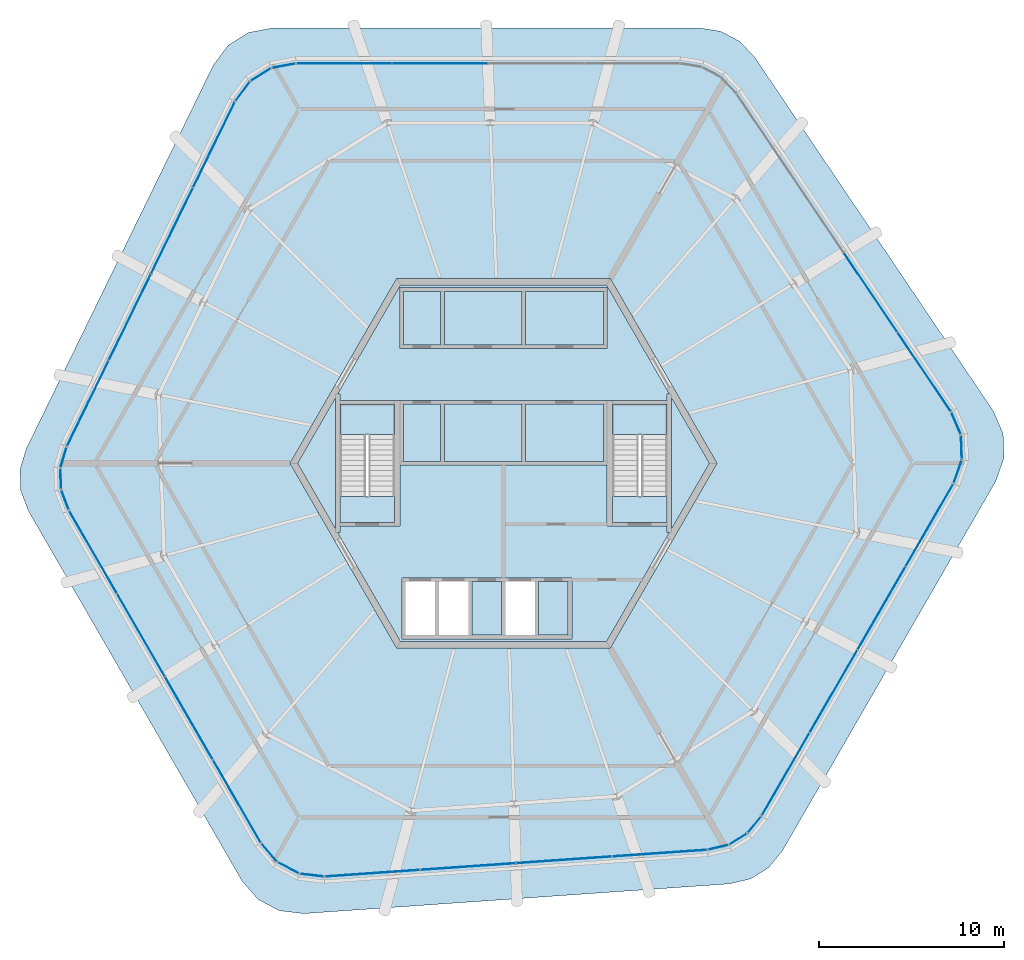
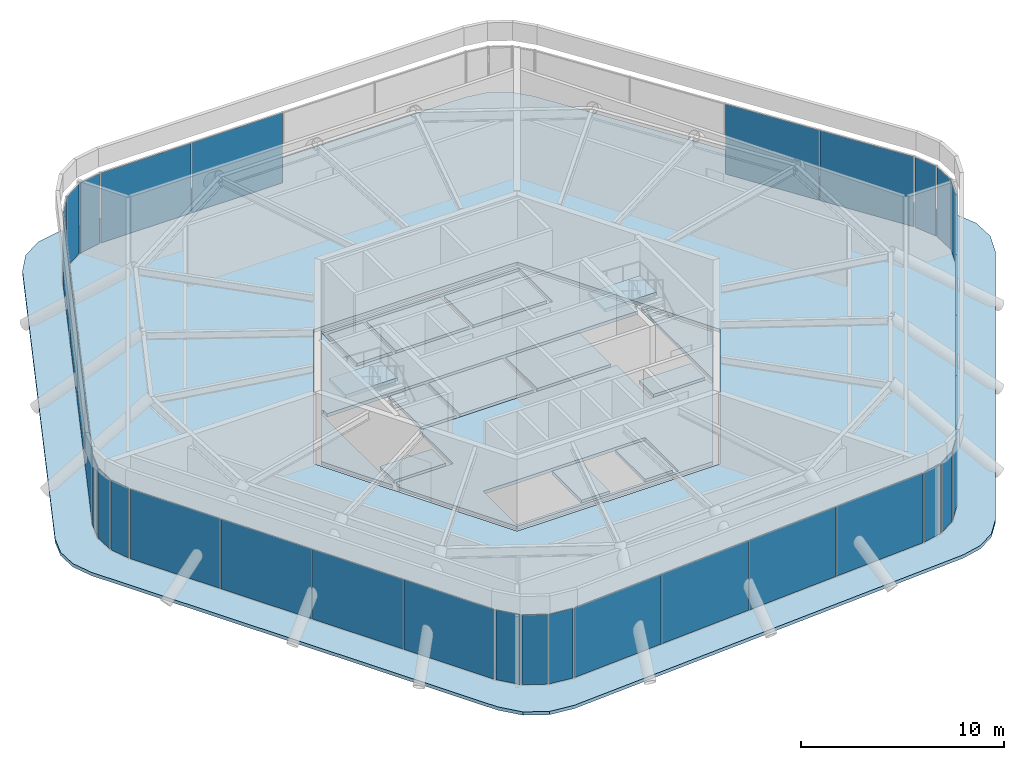
# One storey, part 9 of 13: 35 plates, 17 slabs, 23 elements without a shape of their own.
"""IFC4 building model written with IfcOpenShell, lengths in metres."""

from ifc_helpers import new_model, si_unit, direction, frame, origin, origin_2d, place, context, subcontext, project, spatial, polyline, rectangle, outline, extrude, material, layer, layer_set, type_object, element, aggregate, save


model = new_model("IFC4")

# Units and contexts
model_context = context("Model", 3, precision=1e-05, world=origin(), true_north=direction((0.0, 1.0)))
body_context = subcontext(model_context, "Body", "Model", "MODEL_VIEW")
ifc_project = project(units=[si_unit("LENGTHUNIT", "METRE"), si_unit("AREAUNIT", "SQUARE_METRE"), si_unit("VOLUMEUNIT", "CUBIC_METRE"), si_unit("PLANEANGLEUNIT", "RADIAN"), si_unit("MASSUNIT", "GRAM", prefix="KILO")], contexts=[model_context])

# Site, building, storey
site_placement = place(None, origin())
site = spatial("IfcSite", under=ifc_project, at=site_placement, CompositionType="ELEMENT")
building_placement = place(site_placement, origin())
building = spatial("IfcBuilding", under=site, at=building_placement, Name="Tarnside Tower", CompositionType="ELEMENT")
storey_placement = place(building_placement, frame((0.0, 0.0, 388.199951171875)))
storey = spatial("IfcBuildingStorey", under=building, at=storey_placement, Name="L92", CompositionType="ELEMENT", Elevation=388.199951171875)

# Slabs
ifc_material_1 = material(Name="Concrete C35/45", Category="concrete")
ifc_layer_1 = layer(ifc_material_1, 0.199951171875)
ifc_layer_set_1 = layer_set([ifc_layer_1], Name="Composite floor slab 200")
slab_type_1 = type_object("IfcSlabType", Name="Composite floor slab 200", PredefinedType="FLOOR", material=ifc_layer_set_1)
slab_1_placement = place(storey_placement, frame((0.0, 0.0, -0.199951171875)))
element("IfcSlab", 1, at=slab_1_placement, inside=storey, type_object=slab_type_1, Name="Floor slab L92", PredefinedType="FLOOR", context=body_context, shape_type="SweptSolid", body=[
    extrude(outline(polyline([(11.769287109375, 23.3603515625), (12.785400390625, 22.8203125), (13.58740234375, 21.969970703125), (26.50048828125, 2.82568359375), (27.02880859375, 1.6005859375), (27.07470703125, 0.288818359375), (26.633056640625, -0.97021484375), (15.0869140625, -20.968505859375), (14.345947265625, -21.872802734375), (13.370361328125, -22.482421875), (12.232666015625, -22.752197265625), (-10.80322265625, -24.36279296875), (-12.12841796875, -24.2080078125), (-13.287353515625, -23.591796875), (-14.15673828125, -22.579833984375), (-25.702880859375, -2.581298828125), (-26.115478515625, -1.487548828125), (-26.155517578125, -0.337890625), (-25.8203125, 0.7822265625), (-15.697265625, 21.537353515625), (-14.900634765625, 22.607421875), (-13.787353515625, 23.302978515625), (-12.476318359375, 23.550048828125), (10.61572265625, 23.550048828125), (11.769287109375, 23.3603515625)]), holes=[polyline([(-11.547119140625, 0.0), (-5.7734375, -10.0), (5.7734375, -10.0), (11.547119140625, 0.0), (5.7734375, 10.0), (-5.7734375, 10.0), (-11.547119140625, 0.0)])]), origin(), (0.0, 0.0, 1.0), 0.199951171875),
])
ifc_material_2 = material(Name="Concrete C40/50", Category="concrete")
ifc_layer_2 = layer(ifc_material_2, 0.199951171875)
ifc_layer_set_2 = layer_set([ifc_layer_2], Name="Core crown slab C40/50")
slab_type_2 = type_object("IfcSlabType", Name="Core crown slab C40/50", PredefinedType="FLOOR", material=ifc_layer_set_2)
slab_2_placement = place(storey_placement, frame((0.0, 0.0, -0.199951171875)))
element("IfcSlab", 2, at=slab_2_placement, inside=storey, type_object=slab_type_2, Name="L92 core floor slab 1", PredefinedType="FLOOR", context=body_context, shape_type="SweptSolid", body=[
    extrude(outline(polyline([(5.5712890625, 9.64990234375), (8.97509765625, 3.7548828125), (8.85009765625, 3.7548828125), (8.85009765625, 3.39990234375), (5.89990234375, 3.39990234375), (5.60009765625, 3.39990234375), (-5.60009765625, 3.39990234375), (-5.89990234375, 3.39990234375), (-8.85009765625, 3.39990234375), (-8.85009765625, 3.7548828125), (-8.97509765625, 3.7548828125), (-5.5712890625, 9.64990234375), (5.5712890625, 9.64990234375)]), holes=[polyline([(-5.60009765625, 6.199951171875), (5.60009765625, 6.199951171875), (5.60009765625, 6.39990234375), (5.60009765625, 9.300048828125), (5.60009765625, 9.5), (-5.60009765625, 9.5), (-5.60009765625, 9.300048828125), (-5.60009765625, 6.39990234375), (-5.60009765625, 6.199951171875)])]), origin(), (0.0, 0.0, 1.0), 0.199951171875),
])
slab_3_placement = place(storey_placement, frame((0.0, 0.0, -0.199951171875)))
element("IfcSlab", 3, at=slab_3_placement, inside=storey, type_object=slab_type_2, Name="L92 core floor slab 2", PredefinedType="FLOOR", context=body_context, shape_type="SweptSolid", body=[
    extrude(outline(polyline([(-9.10009765625, -3.538330078125), (-11.142822265625, 0.0), (-9.10009765625, 3.538330078125), (-9.10009765625, -3.538330078125)])), origin(), (0.0, 0.0, 1.0), 0.199951171875),
])
slab_4_placement = place(storey_placement, frame((0.0, 0.0, -0.199951171875)))
element("IfcSlab", 4, at=slab_4_placement, inside=storey, type_object=slab_type_2, Name="L92 core floor slab 3", PredefinedType="FLOOR", context=body_context, shape_type="SweptSolid", body=[
    extrude(outline(polyline([(-8.85009765625, -3.7548828125), (-8.85009765625, -3.39990234375), (-5.89990234375, -3.39990234375), (-5.60009765625, -3.39990234375), (-5.60009765625, -0.10009765625), (5.60009765625, -0.10009765625), (5.60009765625, -3.39990234375), (5.89990234375, -3.39990234375), (8.85009765625, -3.39990234375), (8.85009765625, -3.7548828125), (8.97509765625, -3.7548828125), (5.5712890625, -9.64990234375), (-5.5712890625, -9.64990234375), (-8.97509765625, -3.7548828125), (-8.85009765625, -3.7548828125)]), holes=[polyline([(-5.5, -9.5), (3.699951171875, -9.5), (3.699951171875, -9.300048828125), (3.699951171875, -6.39990234375), (3.699951171875, -6.199951171875), (-5.5, -6.199951171875), (-5.5, -6.39990234375), (-5.5, -9.300048828125), (-5.5, -9.5)])]), origin(), (0.0, 0.0, 1.0), 0.199951171875),
])
slab_5_placement = place(storey_placement, frame((0.0, 0.0, -0.199951171875)))
element("IfcSlab", 5, at=slab_5_placement, inside=storey, type_object=slab_type_2, Name="L92 core floor slab 4", PredefinedType="FLOOR", context=body_context, shape_type="SweptSolid", body=[
    extrude(outline(polyline([(9.10009765625, 3.538330078125), (11.142822265625, 0.0), (9.10009765625, -3.538330078125), (9.10009765625, 3.538330078125)])), origin(), (0.0, 0.0, 1.0), 0.199951171875),
])
slab_6_placement = place(storey_placement, frame((0.0, 0.0, -0.199951171875)))
element("IfcSlab", 6, at=slab_6_placement, inside=storey, type_object=slab_type_2, Name="L92 core floor slab 5", PredefinedType="FLOOR", context=body_context, shape_type="SweptSolid", body=[
    extrude(outline(polyline([(-3.39990234375, 3.199951171875), (-3.39990234375, 0.10009765625), (-5.39990234375, 0.10009765625), (-5.39990234375, 3.199951171875), (-3.39990234375, 3.199951171875)])), origin(), (0.0, 0.0, 1.0), 0.199951171875),
])
slab_7_placement = place(storey_placement, frame((0.0, 0.0, -0.199951171875)))
element("IfcSlab", 7, at=slab_7_placement, inside=storey, type_object=slab_type_2, Name="L92 core floor slab 6", PredefinedType="FLOOR", context=body_context, shape_type="SweptSolid", body=[
    extrude(outline(polyline([(-8.85009765625, -3.199951171875), (-8.85009765625, -1.800048828125), (-5.89990234375, -1.800048828125), (-5.89990234375, -3.199951171875), (-8.85009765625, -3.199951171875)])), origin(), (0.0, 0.0, 1.0), 0.199951171875),
])
slab_8_placement = place(storey_placement, frame((0.0, 0.0, -0.199951171875)))
element("IfcSlab", 8, at=slab_8_placement, inside=storey, type_object=slab_type_2, Name="L92 core floor slab 7", PredefinedType="FLOOR", context=body_context, shape_type="SweptSolid", body=[
    extrude(outline(polyline([(1.0, 3.199951171875), (1.0, 0.10009765625), (-3.199951171875, 0.10009765625), (-3.199951171875, 3.199951171875), (1.0, 3.199951171875)])), origin(), (0.0, 0.0, 1.0), 0.199951171875),
])
slab_9_placement = place(storey_placement, frame((0.0, 0.0, -0.199951171875)))
element("IfcSlab", 9, at=slab_9_placement, inside=storey, type_object=slab_type_2, Name="L92 core floor slab 8", PredefinedType="FLOOR", context=body_context, shape_type="SweptSolid", body=[
    extrude(outline(polyline([(1.199951171875, 3.199951171875), (5.39990234375, 3.199951171875), (5.39990234375, 0.10009765625), (1.199951171875, 0.10009765625), (1.199951171875, 3.199951171875)])), origin(), (0.0, 0.0, 1.0), 0.199951171875),
])
slab_10_placement = place(storey_placement, frame((0.0, 0.0, -0.199951171875)))
element("IfcSlab", 10, at=slab_10_placement, inside=storey, type_object=slab_type_2, Name="L92 core floor slab 9", PredefinedType="FLOOR", context=body_context, shape_type="SweptSolid", body=[
    extrude(outline(polyline([(5.89990234375, -1.800048828125), (8.85009765625, -1.800048828125), (8.85009765625, -3.199951171875), (5.89990234375, -3.199951171875), (5.89990234375, -1.800048828125)])), origin(), (0.0, 0.0, 1.0), 0.199951171875),
])
slab_11_placement = place(storey_placement, frame((0.0, 0.0, -0.199951171875)))
element("IfcSlab", 11, at=slab_11_placement, inside=storey, type_object=slab_type_2, Name="L92 core floor slab 10", PredefinedType="FLOOR", context=body_context, shape_type="SweptSolid", body=[
    extrude(outline(polyline([(3.5, -9.300048828125), (1.89990234375, -9.300048828125), (1.89990234375, -6.39990234375), (3.5, -6.39990234375), (3.5, -9.300048828125)])), origin(), (0.0, 0.0, 1.0), 0.199951171875),
])
slab_12_placement = place(storey_placement, frame((0.0, 0.0, -0.199951171875)))
element("IfcSlab", 12, at=slab_12_placement, inside=storey, type_object=slab_type_2, Name="L92 core floor slab 11", PredefinedType="FLOOR", context=body_context, shape_type="SweptSolid", body=[
    extrude(outline(polyline([(-0.10009765625, -9.300048828125), (-1.699951171875, -9.300048828125), (-1.699951171875, -6.39990234375), (-0.10009765625, -6.39990234375), (-0.10009765625, -9.300048828125)])), origin(), (0.0, 0.0, 1.0), 0.199951171875),
])
slab_13_placement = place(storey_placement, frame((0.0, 0.0, -0.199951171875)))
element("IfcSlab", 13, at=slab_13_placement, inside=storey, type_object=slab_type_2, Name="L92 core floor slab 12", PredefinedType="FLOOR", context=body_context, shape_type="SweptSolid", body=[
    extrude(outline(polyline([(-3.39990234375, 9.300048828125), (-3.39990234375, 6.39990234375), (-5.39990234375, 6.39990234375), (-5.39990234375, 9.300048828125), (-3.39990234375, 9.300048828125)])), origin(), (0.0, 0.0, 1.0), 0.199951171875),
])
slab_14_placement = place(storey_placement, frame((0.0, 0.0, -0.199951171875)))
element("IfcSlab", 14, at=slab_14_placement, inside=storey, type_object=slab_type_2, Name="L92 core floor slab 13", PredefinedType="FLOOR", context=body_context, shape_type="SweptSolid", body=[
    extrude(outline(polyline([(1.0, 9.300048828125), (1.0, 6.39990234375), (-3.199951171875, 6.39990234375), (-3.199951171875, 9.300048828125), (1.0, 9.300048828125)])), origin(), (0.0, 0.0, 1.0), 0.199951171875),
])
slab_15_placement = place(storey_placement, frame((0.0, 0.0, -0.199951171875)))
element("IfcSlab", 15, at=slab_15_placement, inside=storey, type_object=slab_type_2, Name="L92 core floor slab 14", PredefinedType="FLOOR", context=body_context, shape_type="SweptSolid", body=[
    extrude(outline(polyline([(5.39990234375, 6.39990234375), (1.199951171875, 6.39990234375), (1.199951171875, 9.300048828125), (5.39990234375, 9.300048828125), (5.39990234375, 6.39990234375)])), origin(), (0.0, 0.0, 1.0), 0.199951171875),
])

# Curtain wall, plate
ifc_material_3 = material(Name="Crown glazing wall", Category="glass")
curtain_wall_type = type_object("IfcCurtainWallType", Name="Crown glazing wall", PredefinedType="NOTDEFINED", material=ifc_material_3)
curtain_wall_1_placement = place(storey_placement, origin())
curtain_wall_1 = element("IfcCurtainWall", 16, at=curtain_wall_1_placement, inside=storey, type_object=curtain_wall_type, Name="Crown glazing L92 00", PredefinedType="NOTDEFINED")
ifc_material_4 = material(Name="Low-iron safety glass", Category="glass")
ifc_layer_3 = layer(ifc_material_4, 0.028076171875)
ifc_layer_set_3 = layer_set([ifc_layer_3], Name="Crown glazing panel 28")
plate_type_1 = type_object("IfcPlateType", Name="Crown glazing panel 28", PredefinedType="CURTAIN_PANEL", material=ifc_layer_set_3)
plate_1_placement = place(storey_placement, frame((-8.6171875, 21.6298828125, 0.05029296875), z_axis=(0.0, 0.0, 1.0), x_axis=(1.0, 0.0, 0.0)))
plate_1 = element("IfcPlate", 17, at=plate_1_placement, type_object=plate_type_1, Name="CW6 panel 1.1", PredefinedType="CURTAIN_PANEL", context=body_context, shape_type="SweptSolid", body=[
    extrude(rectangle(XDim=5.119873046875, YDim=0.028076171875, at=origin_2d()), origin(), (0.0, 0.0, 1.0), 4.199951171875),
])

curtain_wall_2_placement = place(storey_placement, origin())
curtain_wall_2 = element("IfcCurtainWall", 18, at=curtain_wall_2_placement, inside=storey, type_object=curtain_wall_type, Name="Crown glazing L92 04", PredefinedType="NOTDEFINED")
plate_2_placement = place(storey_placement, frame((22.750732421875, 4.951416015625, 0.05029296875), z_axis=(0.0, 0.0, 1.0), x_axis=(0.559192903471, -0.829037572555, 0.0)))
plate_2 = element("IfcPlate", 19, at=plate_2_placement, type_object=plate_type_1, Name="CW6 panel 4.1", PredefinedType="CURTAIN_PANEL", context=body_context, shape_type="SweptSolid", body=[
    extrude(rectangle(XDim=5.119873046875, YDim=0.028076171875, at=origin_2d()), origin(), (0.0, 0.0, 1.0), 4.199951171875),
])

curtain_wall_3_placement = place(storey_placement, origin())
curtain_wall_3 = element("IfcCurtainWall", 20, at=curtain_wall_3_placement, inside=storey, type_object=curtain_wall_type, Name="Crown glazing L92 05", PredefinedType="NOTDEFINED")
plate_3_placement = place(storey_placement, frame((24.480224609375, 2.161865234375, 0.05029296875), z_axis=(0.0, 0.0, 1.0), x_axis=(0.396079766194, -0.918216106813, 0.0)))
plate_3 = element("IfcPlate", 21, at=plate_3_placement, type_object=plate_type_1, Name="CW6 panel 1.1", PredefinedType="CURTAIN_PANEL", context=body_context, shape_type="SweptSolid", body=[
    extrude(rectangle(XDim=1.26318359375, YDim=0.028076171875, at=origin_2d()), origin(), (0.0, 0.0, 1.0), 4.199951171875),
])
aggregate(curtain_wall_3, [plate_3])

curtain_wall_4_placement = place(storey_placement, origin())
curtain_wall_4 = element("IfcCurtainWall", 22, at=curtain_wall_4_placement, inside=storey, type_object=curtain_wall_type, Name="Crown glazing L92 06", PredefinedType="NOTDEFINED")
plate_4_placement = place(storey_placement, frame((24.773681640625, 0.865234375, 0.05029296875), z_axis=(0.0, 0.0, 1.0), x_axis=(0.034899496354, -0.999390827031, 0.0)))
plate_4 = element("IfcPlate", 23, at=plate_4_placement, type_object=plate_type_1, Name="CW6 panel 1.1", PredefinedType="CURTAIN_PANEL", context=body_context, shape_type="SweptSolid", body=[
    extrude(rectangle(XDim=1.242431640625, YDim=0.028076171875, at=origin_2d()), origin(), (0.0, 0.0, 1.0), 4.199951171875),
])
aggregate(curtain_wall_4, [plate_4])

curtain_wall_5_placement = place(storey_placement, origin())
curtain_wall_5 = element("IfcCurtainWall", 24, at=curtain_wall_5_placement, inside=storey, type_object=curtain_wall_type, Name="Crown glazing L92 07", PredefinedType="NOTDEFINED")
plate_5_placement = place(storey_placement, frame((24.5712890625, -0.44873046875, 0.05029296875), z_axis=(0.0, 0.0, 1.0), x_axis=(-0.331063418028, -0.943608506344, 0.0)))
plate_5 = element("IfcPlate", 25, at=plate_5_placement, type_object=plate_type_1, Name="CW6 panel 1.1", PredefinedType="CURTAIN_PANEL", context=body_context, shape_type="SweptSolid", body=[
    extrude(rectangle(XDim=1.26318359375, YDim=0.028076171875, at=origin_2d()), origin(), (0.0, 0.0, 1.0), 4.199951171875),
])
aggregate(curtain_wall_5, [plate_5])

# Curtain wall, plates
curtain_wall_6_placement = place(storey_placement, origin())
curtain_wall_6 = element("IfcCurtainWall", 26, at=curtain_wall_6_placement, inside=storey, type_object=curtain_wall_type, Name="Crown glazing L92 08", PredefinedType="NOTDEFINED")
plate_6_placement = place(storey_placement, frame((23.040771484375, -3.352294921875, 0.05029296875), z_axis=(0.0, 0.0, 1.0), x_axis=(-0.5, -0.866025403784, 0.0)))
plate_6 = element("IfcPlate", 27, at=plate_6_placement, type_object=plate_type_1, Name="CW6 panel 1.1", PredefinedType="CURTAIN_PANEL", context=body_context, shape_type="SweptSolid", body=[
    extrude(rectangle(XDim=5.119873046875, YDim=0.028076171875, at=origin_2d()), origin(), (0.0, 0.0, 1.0), 4.199951171875),
])
plate_7_placement = place(storey_placement, frame((15.2607421875, -16.82763671875, 0.05029296875), z_axis=(0.0, 0.0, 1.0), x_axis=(-0.5, -0.866025403784, 0.0)))
plate_7 = element("IfcPlate", 28, at=plate_7_placement, type_object=plate_type_1, Name="CW6 panel 4.1", PredefinedType="CURTAIN_PANEL", context=body_context, shape_type="SweptSolid", body=[
    extrude(rectangle(XDim=5.119873046875, YDim=0.028076171875, at=origin_2d()), origin(), (0.0, 0.0, 1.0), 4.199951171875),
])

# Curtain wall, plate
curtain_wall_7_placement = place(storey_placement, origin())
curtain_wall_7 = element("IfcCurtainWall", 29, at=curtain_wall_7_placement, inside=storey, type_object=curtain_wall_type, Name="Crown glazing L92 09", PredefinedType="NOTDEFINED")
plate_8_placement = place(storey_placement, frame((13.5771484375, -19.550048828125, 0.05029296875), z_axis=(0.0, 0.0, 1.0), x_axis=(-0.633830967597, -0.773471592572, 0.0)))
plate_8 = element("IfcPlate", 30, at=plate_8_placement, type_object=plate_type_1, Name="CW6 panel 1.1", PredefinedType="CURTAIN_PANEL", context=body_context, shape_type="SweptSolid", body=[
    extrude(rectangle(XDim=1.0947265625, YDim=0.028076171875, at=origin_2d()), origin(), (0.0, 0.0, 1.0), 4.199951171875),
])
aggregate(curtain_wall_7, [plate_8])

curtain_wall_8_placement = place(storey_placement, origin())
curtain_wall_8 = element("IfcCurtainWall", 31, at=curtain_wall_8_placement, inside=storey, type_object=curtain_wall_type, Name="Crown glazing L92 10", PredefinedType="NOTDEFINED")
plate_9_placement = place(storey_placement, frame((12.69970703125, -20.32373046875, 0.05029296875), z_axis=(0.0, 0.0, 1.0), x_axis=(-0.848048095999, -0.529919264485, 0.0)))
plate_9 = element("IfcPlate", 32, at=plate_9_placement, type_object=plate_type_1, Name="CW6 panel 1.1", PredefinedType="CURTAIN_PANEL", context=body_context, shape_type="SweptSolid", body=[
    extrude(rectangle(XDim=1.076416015625, YDim=0.028076171875, at=origin_2d()), origin(), (0.0, 0.0, 1.0), 4.199951171875),
])
aggregate(curtain_wall_8, [plate_9])

curtain_wall_9_placement = place(storey_placement, origin())
curtain_wall_9 = element("IfcCurtainWall", 33, at=curtain_wall_9_placement, inside=storey, type_object=curtain_wall_type, Name="Crown glazing L92 11", PredefinedType="NOTDEFINED")
plate_10_placement = place(storey_placement, frame((11.61962890625, -20.773193359375, 0.05029296875), z_axis=(0.0, 0.0, 1.0), x_axis=(-0.973044870472, -0.230615871195, 0.0)))
plate_10 = element("IfcPlate", 34, at=plate_10_placement, type_object=plate_type_1, Name="CW6 panel 1.1", PredefinedType="CURTAIN_PANEL", context=body_context, shape_type="SweptSolid", body=[
    extrude(rectangle(XDim=1.0947265625, YDim=0.028076171875, at=origin_2d()), origin(), (0.0, 0.0, 1.0), 4.199951171875),
])
aggregate(curtain_wall_9, [plate_10])

# Curtain wall, plates
curtain_wall_10_placement = place(storey_placement, origin())
curtain_wall_10 = element("IfcCurtainWall", 35, at=curtain_wall_10_placement, inside=storey, type_object=curtain_wall_type, Name="Crown glazing L92 12", PredefinedType="NOTDEFINED")
plate_11_placement = place(storey_placement, frame((8.434814453125, -21.093017578125, 0.05029296875), z_axis=(0.0, 0.0, 1.0), x_axis=(-0.99756405026, -0.069756473744, 0.0)))
plate_11 = element("IfcPlate", 36, at=plate_11_placement, type_object=plate_type_1, Name="CW6 panel 1.1", PredefinedType="CURTAIN_PANEL", context=body_context, shape_type="SweptSolid", body=[
    extrude(rectangle(XDim=5.119873046875, YDim=0.028076171875, at=origin_2d()), origin(), (0.0, 0.0, 1.0), 4.199951171875),
])
plate_12_placement = place(storey_placement, frame((-7.08740234375, -22.178466796875, 0.05029296875), z_axis=(0.0, 0.0, 1.0), x_axis=(-0.99756405026, -0.069756473744, 0.0)))
plate_12 = element("IfcPlate", 37, at=plate_12_placement, type_object=plate_type_1, Name="CW6 panel 4.1", PredefinedType="CURTAIN_PANEL", context=body_context, shape_type="SweptSolid", body=[
    extrude(rectangle(XDim=5.119873046875, YDim=0.028076171875, at=origin_2d()), origin(), (0.0, 0.0, 1.0), 4.199951171875),
])

# Curtain wall, plate
curtain_wall_11_placement = place(storey_placement, origin())
curtain_wall_11 = element("IfcCurtainWall", 38, at=curtain_wall_11_placement, inside=storey, type_object=curtain_wall_type, Name="Crown glazing L92 13", PredefinedType="NOTDEFINED")
plate_13_placement = place(storey_placement, frame((-10.367919921875, -22.28125, 0.05029296875), z_axis=(0.0, 0.0, 1.0), x_axis=(-0.993238357745, 0.116092914096, 0.0)))
plate_13 = element("IfcPlate", 39, at=plate_13_placement, type_object=plate_type_1, Name="CW6 panel 1.1", PredefinedType="CURTAIN_PANEL", context=body_context, shape_type="SweptSolid", body=[
    extrude(rectangle(XDim=1.26318359375, YDim=0.028076171875, at=origin_2d()), origin(), (0.0, 0.0, 1.0), 4.199951171875),
])
aggregate(curtain_wall_11, [plate_13])

curtain_wall_12_placement = place(storey_placement, origin())
curtain_wall_12 = element("IfcCurtainWall", 40, at=curtain_wall_12_placement, inside=storey, type_object=curtain_wall_type, Name="Crown glazing L92 14", PredefinedType="NOTDEFINED")
plate_14_placement = place(storey_placement, frame((-11.6376953125, -21.88720703125, 0.05029296875), z_axis=(0.0, 0.0, 1.0), x_axis=(-0.882947592695, 0.469471563094, 0.0)))
plate_14 = element("IfcPlate", 41, at=plate_14_placement, type_object=plate_type_1, Name="CW6 panel 1.1", PredefinedType="CURTAIN_PANEL", context=body_context, shape_type="SweptSolid", body=[
    extrude(rectangle(XDim=1.242431640625, YDim=0.028076171875, at=origin_2d()), origin(), (0.0, 0.0, 1.0), 4.199951171875),
])
aggregate(curtain_wall_12, [plate_14])

curtain_wall_13_placement = place(storey_placement, origin())
curtain_wall_13 = element("IfcCurtainWall", 42, at=curtain_wall_13_placement, inside=storey, type_object=curtain_wall_type, Name="Crown glazing L92 15", PredefinedType="NOTDEFINED")
plate_15_placement = place(storey_placement, frame((-12.67431640625, -21.054931640625, 0.05029296875), z_axis=(0.0, 0.0, 1.0), x_axis=(-0.651657228945, 0.758513583243, 0.0)))
plate_15 = element("IfcPlate", 43, at=plate_15_placement, type_object=plate_type_1, Name="CW6 panel 1.1", PredefinedType="CURTAIN_PANEL", context=body_context, shape_type="SweptSolid", body=[
    extrude(rectangle(XDim=1.26318359375, YDim=0.028076171875, at=origin_2d()), origin(), (0.0, 0.0, 1.0), 4.199951171875),
])
aggregate(curtain_wall_13, [plate_15])

# Curtain wall, plates
curtain_wall_14_placement = place(storey_placement, origin())
curtain_wall_14 = element("IfcCurtainWall", 44, at=curtain_wall_14_placement, inside=storey, type_object=curtain_wall_type, Name="Crown glazing L92 16", PredefinedType="NOTDEFINED")
plate_16_placement = place(storey_placement, frame((-14.423583984375, -18.277587890625, 0.05029296875), z_axis=(0.0, 0.0, 1.0), x_axis=(-0.49999999997, 0.866025403802, 0.0)))
plate_16 = element("IfcPlate", 45, at=plate_16_placement, type_object=plate_type_1, Name="CW6 panel 1.1", PredefinedType="CURTAIN_PANEL", context=body_context, shape_type="SweptSolid", body=[
    extrude(rectangle(XDim=5.119873046875, YDim=0.028076171875, at=origin_2d()), origin(), (0.0, 0.0, 1.0), 4.199951171875),
])
plate_17_placement = place(storey_placement, frame((-22.20361328125, -4.80224609375, 0.05029296875), z_axis=(0.0, 0.0, 1.0), x_axis=(-0.49999999997, 0.866025403802, 0.0)))
plate_17 = element("IfcPlate", 46, at=plate_17_placement, type_object=plate_type_1, Name="CW6 panel 4.1", PredefinedType="CURTAIN_PANEL", context=body_context, shape_type="SweptSolid", body=[
    extrude(rectangle(XDim=5.119873046875, YDim=0.028076171875, at=origin_2d()), origin(), (0.0, 0.0, 1.0), 4.199951171875),
])

# Curtain wall, plate
curtain_wall_15_placement = place(storey_placement, origin())
curtain_wall_15 = element("IfcCurtainWall", 47, at=curtain_wall_15_placement, inside=storey, type_object=curtain_wall_type, Name="Crown glazing L92 17", PredefinedType="NOTDEFINED")
plate_18_placement = place(storey_placement, frame((-23.71923828125, -1.983154296875, 0.05029296875), z_axis=(0.0, 0.0, 1.0), x_axis=(-0.352930564752, 0.935649515825, 0.0)))
plate_18 = element("IfcPlate", 48, at=plate_18_placement, type_object=plate_type_1, Name="CW6 panel 1.1", PredefinedType="CURTAIN_PANEL", context=body_context, shape_type="SweptSolid", body=[
    extrude(rectangle(XDim=1.0947265625, YDim=0.028076171875, at=origin_2d()), origin(), (0.0, 0.0, 1.0), 4.199951171875),
])
aggregate(curtain_wall_15, [plate_18])

curtain_wall_16_placement = place(storey_placement, origin())
curtain_wall_16 = element("IfcCurtainWall", 49, at=curtain_wall_16_placement, inside=storey, type_object=curtain_wall_type, Name="Crown glazing L92 18", PredefinedType="NOTDEFINED")
plate_19_placement = place(storey_placement, frame((-23.95068359375, -0.83642578125, 0.05029296875), z_axis=(0.0, 0.0, 1.0), x_axis=(-0.034899497104, 0.999390827005, 0.0)))
plate_19 = element("IfcPlate", 50, at=plate_19_placement, type_object=plate_type_1, Name="CW6 panel 1.1", PredefinedType="CURTAIN_PANEL", context=body_context, shape_type="SweptSolid", body=[
    extrude(rectangle(XDim=1.076416015625, YDim=0.028076171875, at=origin_2d()), origin(), (0.0, 0.0, 1.0), 4.199951171875),
])
aggregate(curtain_wall_16, [plate_19])

curtain_wall_17_placement = place(storey_placement, origin())
curtain_wall_17 = element("IfcCurtainWall", 51, at=curtain_wall_17_placement, inside=storey, type_object=curtain_wall_type, Name="Crown glazing L92 19", PredefinedType="NOTDEFINED")
plate_20_placement = place(storey_placement, frame((-23.7998046875, 0.32373046875, 0.05029296875), z_axis=(0.0, 0.0, 1.0), x_axis=(0.286803232667, 0.957989512329, 0.0)))
plate_20 = element("IfcPlate", 52, at=plate_20_placement, type_object=plate_type_1, Name="CW6 panel 1.1", PredefinedType="CURTAIN_PANEL", context=body_context, shape_type="SweptSolid", body=[
    extrude(rectangle(XDim=1.0947265625, YDim=0.028076171875, at=origin_2d()), origin(), (0.0, 0.0, 1.0), 4.199951171875),
])
aggregate(curtain_wall_17, [plate_20])

# Curtain wall, plates
curtain_wall_18_placement = place(storey_placement, origin())
curtain_wall_18 = element("IfcCurtainWall", 53, at=curtain_wall_18_placement, inside=storey, type_object=curtain_wall_type, Name="Crown glazing L92 20", PredefinedType="NOTDEFINED")
plate_21_placement = place(storey_placement, frame((-22.484375, 3.24169921875, 0.05029296875), z_axis=(0.0, 0.0, 1.0), x_axis=(0.438371146805, 0.898794046292, 0.0)))
plate_21 = element("IfcPlate", 54, at=plate_21_placement, type_object=plate_type_1, Name="CW6 panel 1.1", PredefinedType="CURTAIN_PANEL", context=body_context, shape_type="SweptSolid", body=[
    extrude(rectangle(XDim=5.119873046875, YDim=0.028076171875, at=origin_2d()), origin(), (0.0, 0.0, 1.0), 4.199951171875),
])
plate_22_placement = place(storey_placement, frame((-15.663330078125, 17.22705078125, 0.05029296875), z_axis=(0.0, 0.0, 1.0), x_axis=(0.438371146805, 0.898794046292, 0.0)))
plate_22 = element("IfcPlate", 55, at=plate_22_placement, type_object=plate_type_1, Name="CW6 panel 4.1", PredefinedType="CURTAIN_PANEL", context=body_context, shape_type="SweptSolid", body=[
    extrude(rectangle(XDim=5.119873046875, YDim=0.028076171875, at=origin_2d()), origin(), (0.0, 0.0, 1.0), 4.199951171875),
])

# Curtain wall, plate
curtain_wall_19_placement = place(storey_placement, origin())
curtain_wall_19 = element("IfcCurtainWall", 56, at=curtain_wall_19_placement, inside=storey, type_object=curtain_wall_type, Name="Crown glazing L92 21", PredefinedType="NOTDEFINED")
plate_23_placement = place(storey_placement, frame((-14.1123046875, 20.11962890625, 0.05029296875), z_axis=(0.0, 0.0, 1.0), x_axis=(0.597158591567, 0.802123192856, 0.0)))
plate_23 = element("IfcPlate", 57, at=plate_23_placement, type_object=plate_type_1, Name="CW6 panel 1.1", PredefinedType="CURTAIN_PANEL", context=body_context, shape_type="SweptSolid", body=[
    extrude(rectangle(XDim=1.26318359375, YDim=0.028076171875, at=origin_2d()), origin(), (0.0, 0.0, 1.0), 4.199951171875),
])
aggregate(curtain_wall_19, [plate_23])

curtain_wall_20_placement = place(storey_placement, origin())
curtain_wall_20 = element("IfcCurtainWall", 58, at=curtain_wall_20_placement, inside=storey, type_object=curtain_wall_type, Name="Crown glazing L92 22", PredefinedType="NOTDEFINED")
plate_24_placement = place(storey_placement, frame((-13.135986328125, 21.02197265625, 0.05029296875), z_axis=(0.0, 0.0, 1.0), x_axis=(0.848048096203, 0.529919264159, 0.0)))
plate_24 = element("IfcPlate", 59, at=plate_24_placement, type_object=plate_type_1, Name="CW6 panel 1.1", PredefinedType="CURTAIN_PANEL", context=body_context, shape_type="SweptSolid", body=[
    extrude(rectangle(XDim=1.242431640625, YDim=0.028076171875, at=origin_2d()), origin(), (0.0, 0.0, 1.0), 4.199951171875),
])
aggregate(curtain_wall_20, [plate_24])

curtain_wall_21_placement = place(storey_placement, origin())
curtain_wall_21 = element("IfcCurtainWall", 60, at=curtain_wall_21_placement, inside=storey, type_object=curtain_wall_type, Name="Crown glazing L92 23", PredefinedType="NOTDEFINED")
plate_25_placement = place(storey_placement, frame((-11.89697265625, 21.50390625, 0.05029296875), z_axis=(0.0, 0.0, 1.0), x_axis=(0.982720646738, 0.185094922879, 0.0)))
plate_25 = element("IfcPlate", 61, at=plate_25_placement, type_object=plate_type_1, Name="CW6 panel 1.1", PredefinedType="CURTAIN_PANEL", context=body_context, shape_type="SweptSolid", body=[
    extrude(rectangle(XDim=1.26318359375, YDim=0.028076171875, at=origin_2d()), origin(), (0.0, 0.0, 1.0), 4.199951171875),
])
aggregate(curtain_wall_21, [plate_25])

# Plate
ifc_material_5 = material(Name="Insulated aluminium panel", Category="aluminium")
ifc_layer_4 = layer(ifc_material_5, 0.028076171875)
ifc_layer_set_4 = layer_set([ifc_layer_4], Name="Crown glazing spandrel panel 28")
plate_type_2 = type_object("IfcPlateType", Name="Crown glazing spandrel panel 28", PredefinedType="CURTAIN_PANEL", material=ifc_layer_set_4)
plate_26_placement = place(storey_placement, frame((-3.4345703125, 21.6298828125, 0.05029296875), z_axis=(0.0, 0.0, 1.0), x_axis=(1.0, 0.0, 0.0)))
plate_26 = element("IfcPlate", 62, at=plate_26_placement, type_object=plate_type_2, Name="CW6 panel 2.1", PredefinedType="CURTAIN_PANEL", context=body_context, shape_type="SweptSolid", body=[
    extrude(rectangle(XDim=5.14501953125, YDim=0.028076171875, at=origin_2d()), origin(), (0.0, 0.0, 1.0), 4.199951171875),
])

aggregate(curtain_wall_1, [plate_1, plate_26])

plate_27_placement = place(storey_placement, frame((19.852783203125, 9.247802734375, 0.05029296875), z_axis=(0.0, 0.0, 1.0), x_axis=(0.559192903471, -0.829037572555, 0.0)))
plate_27 = element("IfcPlate", 63, at=plate_27_placement, type_object=plate_type_2, Name="CW6 panel 3.1", PredefinedType="CURTAIN_PANEL", context=body_context, shape_type="SweptSolid", body=[
    extrude(rectangle(XDim=5.14501953125, YDim=0.028076171875, at=origin_2d()), origin(), (0.0, 0.0, 1.0), 4.199951171875),
])

aggregate(curtain_wall_2, [plate_27, plate_2])

plate_28_placement = place(storey_placement, frame((20.449462890625, -7.840576171875, 0.05029296875), z_axis=(0.0, 0.0, 1.0), x_axis=(-0.5, -0.866025403784, 0.0)))
plate_28 = element("IfcPlate", 64, at=plate_28_placement, type_object=plate_type_2, Name="CW6 panel 2.1", PredefinedType="CURTAIN_PANEL", context=body_context, shape_type="SweptSolid", body=[
    extrude(rectangle(XDim=5.14501953125, YDim=0.028076171875, at=origin_2d()), origin(), (0.0, 0.0, 1.0), 4.199951171875),
])

plate_29_placement = place(storey_placement, frame((17.85205078125, -12.339599609375, 0.05029296875), z_axis=(0.0, 0.0, 1.0), x_axis=(-0.5, -0.866025403784, 0.0)))
plate_29 = element("IfcPlate", 65, at=plate_29_placement, type_object=plate_type_2, Name="CW6 panel 3.1", PredefinedType="CURTAIN_PANEL", context=body_context, shape_type="SweptSolid", body=[
    extrude(rectangle(XDim=5.14501953125, YDim=0.028076171875, at=origin_2d()), origin(), (0.0, 0.0, 1.0), 4.199951171875),
])

aggregate(curtain_wall_6, [plate_6, plate_28, plate_29, plate_7])

plate_30_placement = place(storey_placement, frame((3.264892578125, -21.45458984375, 0.05029296875), z_axis=(0.0, 0.0, 1.0), x_axis=(-0.99756405026, -0.069756473744, 0.0)))
plate_30 = element("IfcPlate", 66, at=plate_30_placement, type_object=plate_type_2, Name="CW6 panel 2.1", PredefinedType="CURTAIN_PANEL", context=body_context, shape_type="SweptSolid", body=[
    extrude(rectangle(XDim=5.14501953125, YDim=0.028076171875, at=origin_2d()), origin(), (0.0, 0.0, 1.0), 4.199951171875),
])

plate_31_placement = place(storey_placement, frame((-1.91748046875, -21.81689453125, 0.05029296875), z_axis=(0.0, 0.0, 1.0), x_axis=(-0.99756405026, -0.069756473744, 0.0)))
plate_31 = element("IfcPlate", 67, at=plate_31_placement, type_object=plate_type_2, Name="CW6 panel 3.1", PredefinedType="CURTAIN_PANEL", context=body_context, shape_type="SweptSolid", body=[
    extrude(rectangle(XDim=5.14501953125, YDim=0.028076171875, at=origin_2d()), origin(), (0.0, 0.0, 1.0), 4.199951171875),
])

aggregate(curtain_wall_10, [plate_11, plate_30, plate_31, plate_12])

plate_32_placement = place(storey_placement, frame((-17.014892578125, -13.78955078125, 0.05029296875), z_axis=(0.0, 0.0, 1.0), x_axis=(-0.49999999997, 0.866025403802, 0.0)))
plate_32 = element("IfcPlate", 68, at=plate_32_placement, type_object=plate_type_2, Name="CW6 panel 2.1", PredefinedType="CURTAIN_PANEL", context=body_context, shape_type="SweptSolid", body=[
    extrude(rectangle(XDim=5.14501953125, YDim=0.028076171875, at=origin_2d()), origin(), (0.0, 0.0, 1.0), 4.199951171875),
])

plate_33_placement = place(storey_placement, frame((-19.6123046875, -9.29052734375, 0.05029296875), z_axis=(0.0, 0.0, 1.0), x_axis=(-0.49999999997, 0.866025403802, 0.0)))
plate_33 = element("IfcPlate", 69, at=plate_33_placement, type_object=plate_type_2, Name="CW6 panel 3.1", PredefinedType="CURTAIN_PANEL", context=body_context, shape_type="SweptSolid", body=[
    extrude(rectangle(XDim=5.14501953125, YDim=0.028076171875, at=origin_2d()), origin(), (0.0, 0.0, 1.0), 4.199951171875),
])

aggregate(curtain_wall_14, [plate_16, plate_32, plate_33, plate_17])

plate_34_placement = place(storey_placement, frame((-20.212646484375, 7.89990234375, 0.05029296875), z_axis=(0.0, 0.0, 1.0), x_axis=(0.438371146805, 0.898794046292, 0.0)))
plate_34 = element("IfcPlate", 70, at=plate_34_placement, type_object=plate_type_2, Name="CW6 panel 2.1", PredefinedType="CURTAIN_PANEL", context=body_context, shape_type="SweptSolid", body=[
    extrude(rectangle(XDim=5.14501953125, YDim=0.028076171875, at=origin_2d()), origin(), (0.0, 0.0, 1.0), 4.199951171875),
])

plate_35_placement = place(storey_placement, frame((-17.935302734375, 12.569091796875, 0.05029296875), z_axis=(0.0, 0.0, 1.0), x_axis=(0.438371146805, 0.898794046292, 0.0)))
plate_35 = element("IfcPlate", 71, at=plate_35_placement, type_object=plate_type_2, Name="CW6 panel 3.1", PredefinedType="CURTAIN_PANEL", context=body_context, shape_type="SweptSolid", body=[
    extrude(rectangle(XDim=5.14501953125, YDim=0.028076171875, at=origin_2d()), origin(), (0.0, 0.0, 1.0), 4.199951171875),
])

aggregate(curtain_wall_18, [plate_21, plate_34, plate_35, plate_22])

# Stair, slab
stair_type = type_object("IfcStairType", Name="Exit stair 1400 clear", PredefinedType="HALF_TURN_STAIR", material=ifc_material_2)
stair_1_placement = place(storey_placement, origin())
stair_1 = element("IfcStair", 72, at=stair_1_placement, inside=storey, type_object=stair_type, Name="L92 Exit stair 1", PredefinedType="HALF_TURN_STAIR")
ifc_layer_5 = layer(ifc_material_2, 0.199951171875)
ifc_layer_set_5 = layer_set([ifc_layer_5], Name="Stair landing 200 C40/50")
slab_type_3 = type_object("IfcSlabType", Name="Stair landing 200 C40/50", PredefinedType="LANDING", material=ifc_layer_set_5)
slab_16_placement = place(storey_placement, frame((0.0, 0.0, 2.050048828125)))
slab_16 = element("IfcSlab", 73, at=slab_16_placement, type_object=slab_type_3, Name="ST1 landing 1", PredefinedType="LANDING", context=body_context, shape_type="SweptSolid", body=[
    extrude(outline(polyline([(8.85009765625, 1.56005859375), (8.85009765625, 3.199951171875), (5.89990234375, 3.199951171875), (5.89990234375, 1.56005859375), (8.85009765625, 1.56005859375)])), origin(), (0.0, 0.0, 1.0), 0.199951171875),
])
aggregate(stair_1, [slab_16])

stair_2_placement = place(storey_placement, origin())
stair_2 = element("IfcStair", 74, at=stair_2_placement, inside=storey, type_object=stair_type, Name="L92 Exit stair 2", PredefinedType="HALF_TURN_STAIR")
slab_17_placement = place(storey_placement, frame((0.0, 0.0, 2.050048828125)))
slab_17 = element("IfcSlab", 75, at=slab_17_placement, type_object=slab_type_3, Name="ST2 landing 1", PredefinedType="LANDING", context=body_context, shape_type="SweptSolid", body=[
    extrude(outline(polyline([(-5.89990234375, 1.56005859375), (-5.89990234375, 3.199951171875), (-8.85009765625, 3.199951171875), (-8.85009765625, 1.56005859375), (-5.89990234375, 1.56005859375)])), origin(), (0.0, 0.0, 1.0), 0.199951171875),
])
aggregate(stair_2, [slab_17])

save(model, "model.ifc")
